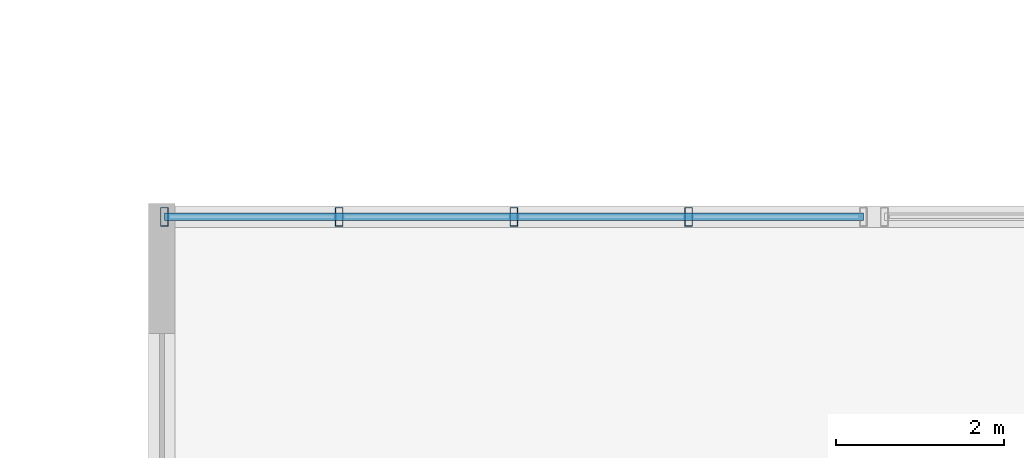
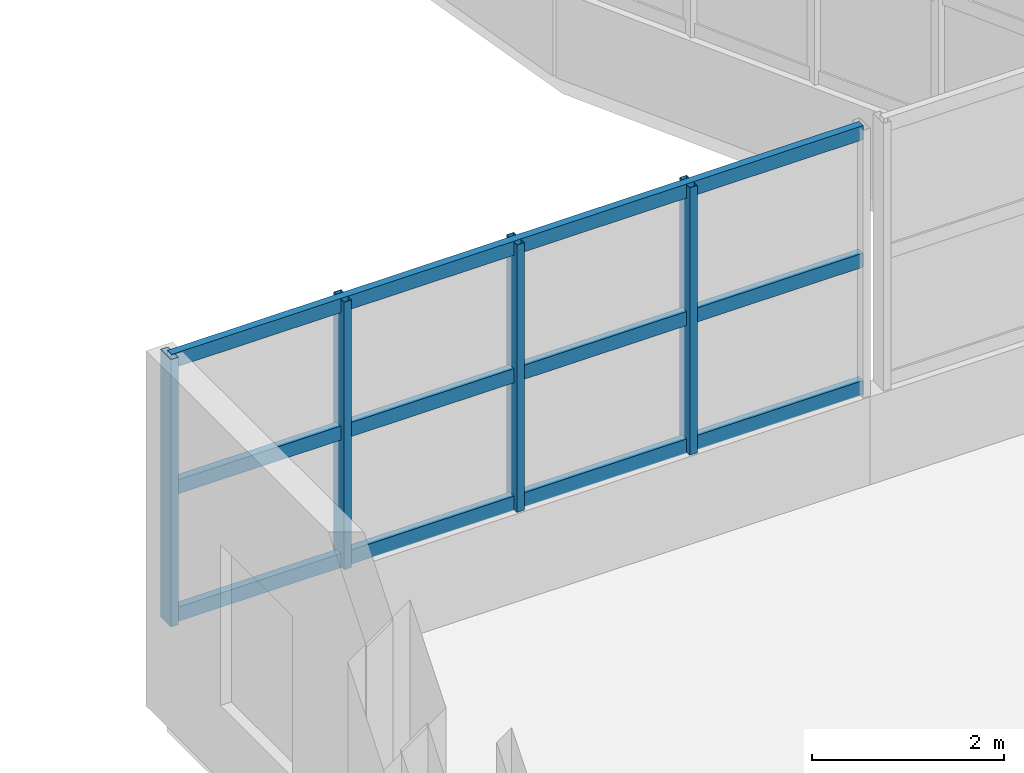
# One storey, part 7 of 117: 7 members, 1 element without a shape of its own.
"""IFC4 building model written with IfcOpenShell, lengths in metres."""

from ifc_helpers import new_model, si_unit, direction, frame, origin, origin_2d, place, context, subcontext, project, spatial, hollow_rectangle, extrude, material, material_profile, profile_set, type_object, element, aggregate, save


model = new_model("IFC4")

# Units and contexts
model_context = context("Model", 3, precision=1e-05, world=origin(), true_north=direction((0.0, 1.0)))
body_context = subcontext(model_context, "Body", "Model", "MODEL_VIEW")
ifc_project = project(units=[si_unit("LENGTHUNIT", "METRE"), si_unit("AREAUNIT", "SQUARE_METRE"), si_unit("VOLUMEUNIT", "CUBIC_METRE"), si_unit("PLANEANGLEUNIT", "RADIAN"), si_unit("MASSUNIT", "GRAM", prefix="KILO")], contexts=[model_context])

# Site, building, storey
site_placement = place(None, origin())
site = spatial("IfcSite", under=ifc_project, at=site_placement, CompositionType="ELEMENT")
building_placement = place(site_placement, origin())
building = spatial("IfcBuilding", under=site, at=building_placement, Name="Solvento Point Concert Hall", CompositionType="ELEMENT")
storey_placement = place(building_placement, frame((0.0, 0.0, 5.39990234375)))
storey = spatial("IfcBuildingStorey", under=building, at=storey_placement, Name="L01", CompositionType="ELEMENT", Elevation=5.39990234375)

# Curtain wall, members
ifc_material_1 = material(Name="Anodized Bronze Aluminium", Category="aluminium")
curtain_wall_type = type_object("IfcCurtainWallType", Name="CurtainWall_RingRibbon_L01_02", PredefinedType="USERDEFINED", material=ifc_material_1)
curtain_wall_placement = place(storey_placement, origin())
curtain_wall = element("IfcCurtainWall", 1, at=curtain_wall_placement, inside=storey, type_object=curtain_wall_type, Name="Unitised curtain wall CW-59 UCW-L01-093", ObjectType="UNITISED CURTAIN WALL", PredefinedType="USERDEFINED")
ifc_material_2 = material(Name="Anodized Bronze Aluminium", Category="aluminium")
ifc_material_profile_1 = material_profile(ifc_material_2, hollow_rectangle(XDim=0.090087890625, YDim=0.219970703125, WallThickness=0.00439453125, at=origin_2d()), Name="CW-MUL-90X220")
ifc_profile_set_1 = profile_set([ifc_material_profile_1], Name="Anodized Bronze Aluminium")
member_type_1 = type_object("IfcMemberType", Name="Mullion_90x220", PredefinedType="MULLION", material=ifc_profile_set_1)
member_1_placement = place(storey_placement, frame((24.030029296875, 21.800048828125, 1.1201171875), z_axis=(0.0, 0.0, 1.0), x_axis=(1.0, 0.0, 0.0)))
member_1 = element("IfcMember", 2, at=member_1_placement, type_object=member_type_1, Name="Curtain wall mullion ML-02", PredefinedType="MULLION", context=body_context, shape_type="SweptSolid", body=[
    extrude(hollow_rectangle(XDim=0.090087890625, YDim=0.219970703125, WallThickness=0.00439453125, at=origin_2d()), origin(), (0.0, 0.0, 1.0), 3.409912109375),
])
member_2_placement = place(storey_placement, frame((26.114990234375, 21.800048828125, 1.1201171875), z_axis=(0.0, 0.0, 1.0), x_axis=(1.0, 0.0, 0.0)))
member_2 = element("IfcMember", 3, at=member_2_placement, type_object=member_type_1, Name="Curtain wall mullion ML-02", PredefinedType="MULLION", context=body_context, shape_type="SweptSolid", body=[
    extrude(hollow_rectangle(XDim=0.090087890625, YDim=0.219970703125, WallThickness=0.00439453125, at=origin_2d()), origin(), (0.0, 0.0, 1.0), 3.409912109375),
])
member_3_placement = place(storey_placement, frame((28.199951171875, 21.800048828125, 1.1201171875), z_axis=(0.0, 0.0, 1.0), x_axis=(1.0, 0.0, 0.0)))
member_3 = element("IfcMember", 4, at=member_3_placement, type_object=member_type_1, Name="Curtain wall mullion ML-02", PredefinedType="MULLION", context=body_context, shape_type="SweptSolid", body=[
    extrude(hollow_rectangle(XDim=0.090087890625, YDim=0.219970703125, WallThickness=0.00439453125, at=origin_2d()), origin(), (0.0, 0.0, 1.0), 3.409912109375),
])
member_4_placement = place(storey_placement, frame((30.284912109375, 21.800048828125, 1.1201171875), z_axis=(0.0, 0.0, 1.0), x_axis=(1.0, 0.0, 0.0)))
member_4 = element("IfcMember", 5, at=member_4_placement, type_object=member_type_1, Name="Curtain wall mullion ML-02", PredefinedType="MULLION", context=body_context, shape_type="SweptSolid", body=[
    extrude(hollow_rectangle(XDim=0.090087890625, YDim=0.219970703125, WallThickness=0.00439453125, at=origin_2d()), origin(), (0.0, 0.0, 1.0), 3.409912109375),
])
ifc_material_3 = material(Name="Anodized Bronze Aluminium", Category="aluminium")
ifc_material_profile_2 = material_profile(ifc_material_3, hollow_rectangle(XDim=0.090087890625, YDim=0.179931640625, WallThickness=0.00439453125, at=origin_2d()), Name="CW-TRN-90X180")
ifc_profile_set_2 = profile_set([ifc_material_profile_2], Name="Anodized Bronze Aluminium")
member_type_2 = type_object("IfcMemberType", Name="Transom_90x180", PredefinedType="USERDEFINED", material=ifc_profile_set_2)
member_5_placement = place(storey_placement, frame((24.030029296875, 21.800048828125, 1.2001953125), z_axis=(1.0, 0.0, 0.0), x_axis=(0.0, 1.0, 0.0)))
member_5 = element("IfcMember", 6, at=member_5_placement, type_object=member_type_2, Name="Curtain wall transom TR-02", ObjectType="TRANSOM", PredefinedType="USERDEFINED", context=body_context, shape_type="SweptSolid", body=[
    extrude(hollow_rectangle(XDim=0.090087890625, YDim=0.179931640625, WallThickness=0.00439453125, at=origin_2d()), origin(), (0.0, 0.0, 1.0), 8.340087890625),
])
member_6_placement = place(storey_placement, frame((24.030029296875, 21.800048828125, 2.8251953125), z_axis=(1.0, 0.0, 0.0), x_axis=(0.0, 1.0, 0.0)))
member_6 = element("IfcMember", 7, at=member_6_placement, type_object=member_type_2, Name="Curtain wall transom TR-02", ObjectType="TRANSOM", PredefinedType="USERDEFINED", context=body_context, shape_type="SweptSolid", body=[
    extrude(hollow_rectangle(XDim=0.090087890625, YDim=0.179931640625, WallThickness=0.00439453125, at=origin_2d()), origin(), (0.0, 0.0, 1.0), 8.340087890625),
])
member_7_placement = place(storey_placement, frame((24.030029296875, 21.800048828125, 4.4501953125), z_axis=(1.0, 0.0, 0.0), x_axis=(0.0, 1.0, 0.0)))
member_7 = element("IfcMember", 8, at=member_7_placement, type_object=member_type_2, Name="Curtain wall transom TR-02", ObjectType="TRANSOM", PredefinedType="USERDEFINED", context=body_context, shape_type="SweptSolid", body=[
    extrude(hollow_rectangle(XDim=0.090087890625, YDim=0.179931640625, WallThickness=0.00439453125, at=origin_2d()), origin(), (0.0, 0.0, 1.0), 8.340087890625),
])
aggregate(curtain_wall, [member_1, member_2, member_3, member_4, member_5, member_6, member_7])

save(model, "model.ifc")
